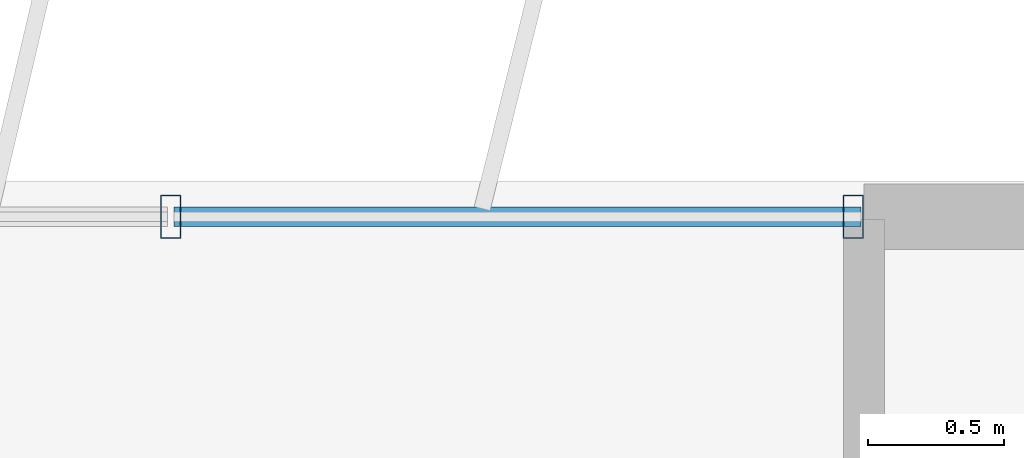
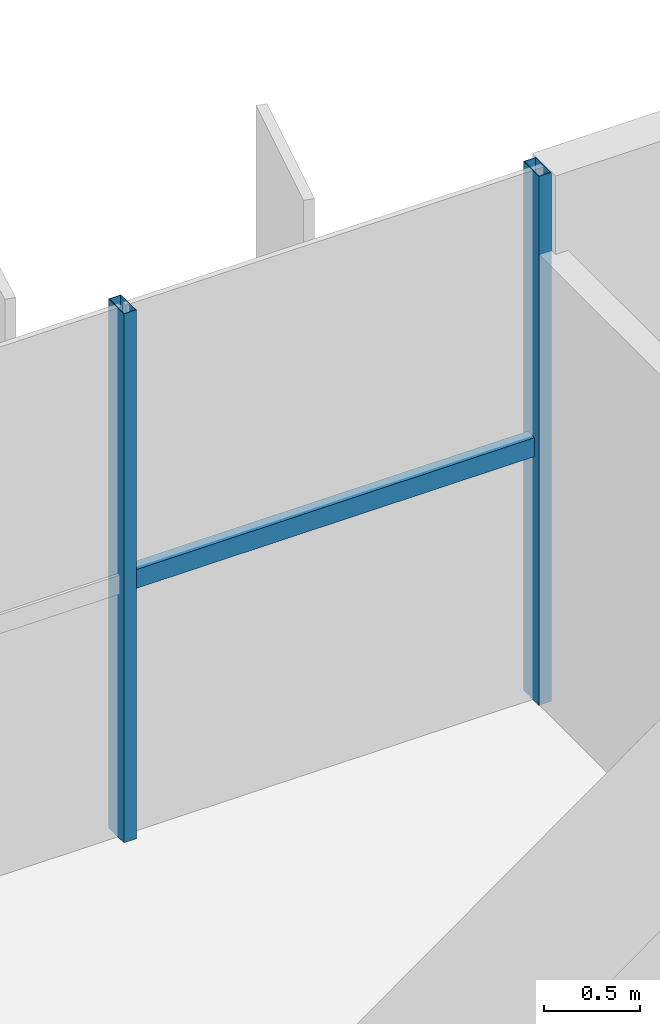
# One storey, part 14 of 23: 3 members, 1 element without a shape of its own.
"""IFC4 building model written with IfcOpenShell, lengths in metres."""

from ifc_helpers import new_model, si_unit, direction, frame, origin, origin_2d, place, context, subcontext, project, spatial, hollow_rectangle, extrude, source, transform, mapped, material, material_profile, profile_set, type_object, element, aggregate, save


model = new_model("IFC4")

# Units and contexts
model_context = context("Model", 3, precision=1e-05, world=origin(), true_north=direction((0.0, 1.0)))
body_context = subcontext(model_context, "Body", "Model", "MODEL_VIEW")
ifc_project = project(units=[si_unit("LENGTHUNIT", "METRE"), si_unit("AREAUNIT", "SQUARE_METRE"), si_unit("VOLUMEUNIT", "CUBIC_METRE"), si_unit("PLANEANGLEUNIT", "RADIAN"), si_unit("MASSUNIT", "GRAM", prefix="KILO")], contexts=[model_context])

# Site, building, storey
site_placement = place(None, origin())
site = spatial("IfcSite", under=ifc_project, at=site_placement, CompositionType="ELEMENT")
building_placement = place(site_placement, origin())
building = spatial("IfcBuilding", under=site, at=building_placement, Name="Trelvane Seafront Commons", CompositionType="ELEMENT")
storey_placement = place(building_placement, frame((0.0, 0.0, 266.699951171875)))
storey = spatial("IfcBuildingStorey", under=building, at=storey_placement, Name="L69", CompositionType="ELEMENT", Elevation=266.699951171875)

# Curtain wall, members
ifc_material = material(Name="Anodised pale-silver aluminium", Category="aluminium")
curtain_wall_type = type_object("IfcCurtainWallType", Name="ARCH-CW5-UPTOWER", PredefinedType="NOTDEFINED", material=ifc_material)
curtain_wall_placement = place(storey_placement, origin())
curtain_wall = element("IfcCurtainWall", 1, at=curtain_wall_placement, inside=storey, type_object=curtain_wall_type, Name="CW-L69-0113", PredefinedType="NOTDEFINED")
ifc_material_profile_1 = material_profile(ifc_material, hollow_rectangle(XDim=0.070068359375, YDim=0.1201171875, WallThickness=0.00390625, at=origin_2d()), Name="TRAN-70x120x4")
ifc_profile_set_1 = profile_set([ifc_material_profile_1], Name="Anodised pale-silver aluminium")
member_type_1 = type_object("IfcMemberType", Name="ARCH-CW-TRAN-120", PredefinedType="USERDEFINED", material=ifc_profile_set_1)
shared_shape_1 = source(origin(), body_context, "Body", "SweptSolid", [
    extrude(hollow_rectangle(XDim=0.070068359375, YDim=0.1201171875, WallThickness=0.00390625, at=origin_2d()), origin(), (0.0, 0.0, 1.0), 2.517333984375),
])
member_1_placement = place(storey_placement, frame((56.270751953125, 48.3701171875, 1.6181640625), z_axis=(1.0, 0.0, 0.0), x_axis=(0.0, 1.0, 0.0)))
member_1 = element("IfcMember", 2, at=member_1_placement, type_object=member_type_1, Name="CW-L69-0113-T16", ObjectType="TRANSOM", PredefinedType="USERDEFINED", context=body_context, shape_type="MappedRepresentation", body=[
    mapped(shared_shape_1, transform((0.0, 0.0, 0.0), x_axis=(1.0, 0.0, 0.0), y_axis=(0.0, 1.0, 0.0), z_axis=(0.0, 0.0, 1.0), scale=1.0)),
])
ifc_material_profile_2 = material_profile(ifc_material, hollow_rectangle(XDim=0.074951171875, YDim=0.159912109375, WallThickness=0.00390625, at=origin_2d()), Name="MULL-75x160x4")
ifc_profile_set_2 = profile_set([ifc_material_profile_2], Name="Anodised pale-silver aluminium")
member_type_2 = type_object("IfcMemberType", Name="ARCH-CW-MULL-160", PredefinedType="MULLION", material=ifc_profile_set_2)
shared_shape_2 = source(origin(), body_context, "Body", "SweptSolid", [
    extrude(hollow_rectangle(XDim=0.074951171875, YDim=0.159912109375, WallThickness=0.00390625, at=origin_2d()), origin(), (0.0, 0.0, 1.0), 3.3701171875),
])
member_2_placement = place(storey_placement, frame((56.2587890625, 48.3701171875, 0.0), z_axis=(0.0, 0.0, 1.0), x_axis=(1.0, 0.0, 0.0)))
member_2 = element("IfcMember", 3, at=member_2_placement, type_object=member_type_2, Name="CW-L69-0113-M16", PredefinedType="MULLION", context=body_context, shape_type="MappedRepresentation", body=[
    mapped(shared_shape_2, transform((0.0, 0.0, 0.0), x_axis=(1.0, 0.0, 0.0), y_axis=(0.0, 1.0, 0.0), z_axis=(0.0, 0.0, 1.0), scale=1.0)),
])
member_3_placement = place(storey_placement, frame((58.760009765625, 48.3701171875, 0.0), z_axis=(0.0, 0.0, 1.0), x_axis=(1.0, 0.0, 0.0)))
member_3 = element("IfcMember", 4, at=member_3_placement, type_object=member_type_2, Name="CW-L69-0113-M17", PredefinedType="MULLION", context=body_context, shape_type="MappedRepresentation", body=[
    mapped(shared_shape_2, transform((0.0, 0.0, 0.0), x_axis=(1.0, 0.0, 0.0), y_axis=(0.0, 1.0, 0.0), z_axis=(0.0, 0.0, 1.0), scale=1.0)),
])
aggregate(curtain_wall, [member_2, member_3, member_1])

save(model, "model.ifc")
